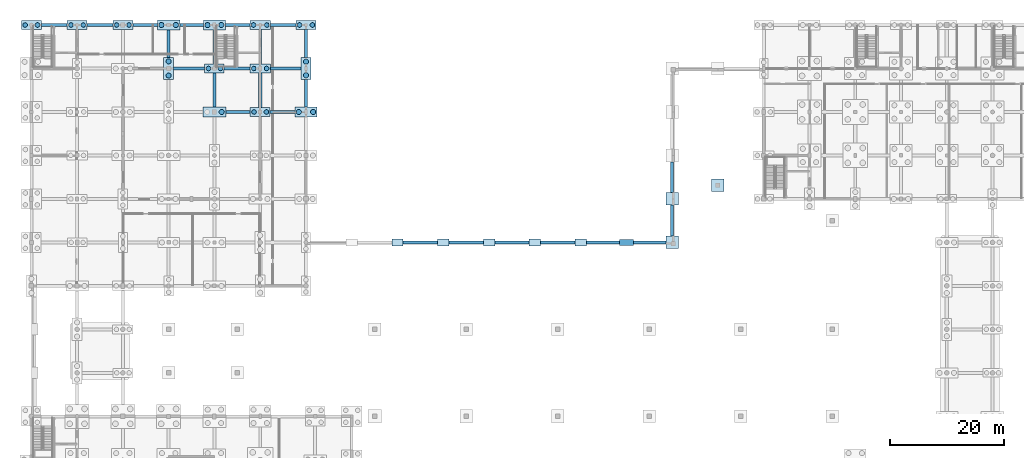
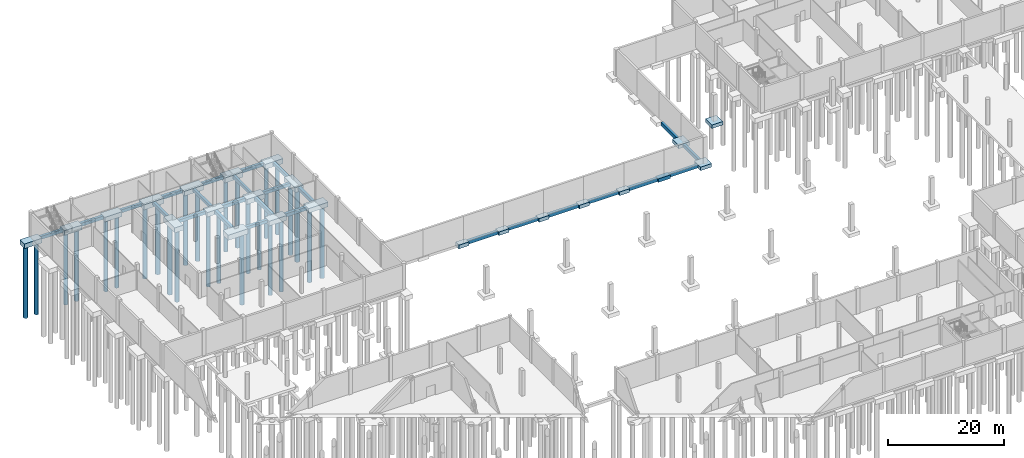
# One storey, part 10 of 44: 49 footings, 27 piles.
"""IFC4 building model written with IfcOpenShell, lengths in metres."""

from ifc_helpers import new_model, si_unit, direction, frame, origin, origin_2d, place, context, subcontext, project, spatial, polyline, circle, outline, extrude, material, material_profile, profile_set, type_object, element, save


model = new_model("IFC4")

# Units and contexts
model_context = context("Model", 3, precision=1e-05, world=origin(), true_north=direction((0.0, 1.0)))
body_context = subcontext(model_context, "Body", "Model", "MODEL_VIEW")
ifc_project = project(units=[si_unit("LENGTHUNIT", "METRE"), si_unit("AREAUNIT", "SQUARE_METRE"), si_unit("VOLUMEUNIT", "CUBIC_METRE"), si_unit("PLANEANGLEUNIT", "RADIAN"), si_unit("MASSUNIT", "GRAM", prefix="KILO")], contexts=[model_context])

# Site, building, storey
site_placement = place(None, origin())
site = spatial("IfcSite", under=ifc_project, at=site_placement, CompositionType="ELEMENT")
building_placement = place(site_placement, origin())
building = spatial("IfcBuilding", under=site, at=building_placement, Name="Khelvaren Railside Concert Hall", CompositionType="ELEMENT")
storey_placement = place(building_placement, frame((0.0, 0.0, -5.39990234375)))
storey = spatial("IfcBuildingStorey", under=building, at=storey_placement, Name="B1", CompositionType="ELEMENT", Elevation=-5.39990234375)

# Piles
ifc_material = material(Name="Concrete C35/45", Category="concrete")
ifc_material_profile_1 = material_profile(ifc_material, circle(Radius=0.449951171875, at=origin_2d()), Name="BP D900")
ifc_profile_set_1 = profile_set([ifc_material_profile_1], Name="Concrete C35/45")
pile_type_1 = type_object("IfcPileType", Name="BP51", PredefinedType="BORED", material=ifc_profile_set_1)
for number, where, z_axis, x_axis, name in (
    (1, (24.0, 105.159912109375, -1.4501953125), (0.0, 0.0, -1.0), (1.0, 0.0, 0.0), "Bored Pile BP51 PC-V4-058-1"),
    (2, (24.0, 107.639892578125, -1.4501953125), (0.0, 0.0, -1.0), (1.0, 0.0, 0.0), "Bored Pile BP51 PC-V4-058-2"),
):
    element("IfcPile", number, at=place(storey_placement, frame(where, z_axis=z_axis, x_axis=x_axis)), inside=storey, type_object=pile_type_1, Name=name, PredefinedType="BORED", context=body_context, shape_type="SweptSolid", body=[
        extrude(circle(Radius=0.449951171875, at=origin_2d()), origin(), (0.0, 0.0, 1.0), 15.14990234375),
    ])
for number, where, z_axis, x_axis, name in (
    (3, (22.72998046875, 114.0, -1.5), (0.0, 0.0, -1.0), (1.0, 0.0, 0.0), "Bored Pile BP51 PC-V4-059-1"),
    (4, (25.27001953125, 114.0, -1.5), (0.0, 0.0, -1.0), (1.0, 0.0, 0.0), "Bored Pile BP51 PC-V4-059-2"),
    (5, (33.27001953125, 98.800048828125, -1.5), (0.0, 0.0, -1.0), (1.0, 0.0, 0.0), "Bored Pile BP51 PC-V4-071-2"),
):
    element("IfcPile", number, at=place(storey_placement, frame(where, z_axis=z_axis, x_axis=x_axis)), inside=storey, type_object=pile_type_1, Name=name, PredefinedType="BORED", context=body_context, shape_type="SweptSolid", body=[
        extrude(circle(Radius=0.449951171875, at=origin_2d()), origin(), (0.0, 0.0, 1.0), 15.10009765625),
    ])
for number, where, z_axis, x_axis, name in (
    (6, (30.7900390625, 114.0, -1.400146484375), (0.0, 0.0, -1.0), (1.0, 0.0, 0.0), "Bored Pile BP51 PC-V4-073-1"),
    (7, (33.2099609375, 114.0, -1.400146484375), (0.0, 0.0, -1.0), (1.0, 0.0, 0.0), "Bored Pile BP51 PC-V4-073-2"),
):
    element("IfcPile", number, at=place(storey_placement, frame(where, z_axis=z_axis, x_axis=x_axis)), inside=storey, type_object=pile_type_1, Name=name, PredefinedType="BORED", context=body_context, shape_type="SweptSolid", body=[
        extrude(circle(Radius=0.449951171875, at=origin_2d()), origin(), (0.0, 0.0, 1.0), 15.199951171875),
    ])
for number, where, z_axis, x_axis, name in (
    (8, (46.75, 98.800048828125, -1.35009765625), (0.0, 0.0, -1.0), (1.0, 0.0, 0.0), "Bored Pile BP51 PC-V4-092-1"),
    (9, (49.25, 98.800048828125, -1.35009765625), (0.0, 0.0, -1.0), (1.0, 0.0, 0.0), "Bored Pile BP51 PC-V4-092-2"),
):
    element("IfcPile", number, at=place(storey_placement, frame(where, z_axis=z_axis, x_axis=x_axis)), inside=storey, type_object=pile_type_1, Name=name, PredefinedType="BORED", context=body_context, shape_type="SweptSolid", body=[
        extrude(circle(Radius=0.449951171875, at=origin_2d()), origin(), (0.0, 0.0, 1.0), 15.25),
    ])
for number, where, z_axis, x_axis, name in (
    (10, (48.0, 105.2099609375, -1.400146484375), (0.0, 0.0, -1.0), (1.0, 0.0, 0.0), "Bored Pile BP51 PC-V4-093-1"),
    (11, (48.0, 107.590087890625, -1.400146484375), (0.0, 0.0, -1.0), (1.0, 0.0, 0.0), "Bored Pile BP51 PC-V4-093-2"),
):
    element("IfcPile", number, at=place(storey_placement, frame(where, z_axis=z_axis, x_axis=x_axis)), inside=storey, type_object=pile_type_1, Name=name, PredefinedType="BORED", context=body_context, shape_type="SweptSolid", body=[
        extrude(circle(Radius=0.449951171875, at=origin_2d()), origin(), (0.0, 0.0, 1.0), 15.199951171875),
    ])
ifc_material_profile_2 = material_profile(ifc_material, circle(Radius=0.39990234375, at=origin_2d()), Name="BP D800")
ifc_profile_set_2 = profile_set([ifc_material_profile_2], Name="Concrete C35/45")
pile_type_2 = type_object("IfcPileType", Name="BP84", PredefinedType="BORED", material=ifc_profile_set_2)
for number, where, z_axis, x_axis, name in (
    (12, (-1.080078125, 114.0, -1.400146484375), (0.0, 0.0, -1.0), (1.0, 0.0, 0.0), "Bored Pile BP84 PC-V4-013-1"),
    (13, (1.080078125, 114.0, -1.400146484375), (0.0, 0.0, -1.0), (1.0, 0.0, 0.0), "Bored Pile BP84 PC-V4-013-2"),
    (14, (6.919921875, 114.0, -1.400146484375), (0.0, 0.0, -1.0), (1.0, 0.0, 0.0), "Bored Pile BP84 PC-V4-029-1"),
    (15, (9.080078125, 114.0, -1.400146484375), (0.0, 0.0, -1.0), (1.0, 0.0, 0.0), "Bored Pile BP84 PC-V4-029-2"),
    (16, (14.919921875, 114.0, -1.400146484375), (0.0, 0.0, -1.0), (1.0, 0.0, 0.0), "Bored Pile BP84 PC-V4-045-1"),
    (17, (17.080078125, 114.0, -1.400146484375), (0.0, 0.0, -1.0), (1.0, 0.0, 0.0), "Bored Pile BP84 PC-V4-045-2"),
):
    element("IfcPile", number, at=place(storey_placement, frame(where, z_axis=z_axis, x_axis=x_axis)), inside=storey, type_object=pile_type_2, Name=name, PredefinedType="BORED", context=body_context, shape_type="SweptSolid", body=[
        extrude(circle(Radius=0.39990234375, at=origin_2d()), origin(), (0.0, 0.0, 1.0), 15.199951171875),
    ])
for number, where, z_axis, x_axis, name in (
    (18, (30.9599609375, 106.39990234375, -1.35009765625), (0.0, 0.0, -1.0), (1.0, 0.0, 0.0), "Bored Pile BP84 PC-V4-072-1"),
    (19, (33.0400390625, 106.39990234375, -1.35009765625), (0.0, 0.0, -1.0), (1.0, 0.0, 0.0), "Bored Pile BP84 PC-V4-072-2"),
):
    element("IfcPile", number, at=place(storey_placement, frame(where, z_axis=z_axis, x_axis=x_axis)), inside=storey, type_object=pile_type_2, Name=name, PredefinedType="BORED", context=body_context, shape_type="SweptSolid", body=[
        extrude(circle(Radius=0.39990234375, at=origin_2d()), origin(), (0.0, 0.0, 1.0), 15.25),
    ])
for number, where, z_axis, x_axis, name in (
    (20, (38.919921875, 98.800048828125, -1.400146484375), (0.0, 0.0, -1.0), (1.0, 0.0, 0.0), "Bored Pile BP84 PC-V4-085-1"),
    (21, (41.080078125, 98.800048828125, -1.400146484375), (0.0, 0.0, -1.0), (1.0, 0.0, 0.0), "Bored Pile BP84 PC-V4-085-2"),
):
    element("IfcPile", number, at=place(storey_placement, frame(where, z_axis=z_axis, x_axis=x_axis)), inside=storey, type_object=pile_type_2, Name=name, PredefinedType="BORED", context=body_context, shape_type="SweptSolid", body=[
        extrude(circle(Radius=0.39990234375, at=origin_2d()), origin(), (0.0, 0.0, 1.0), 15.199951171875),
    ])
for number, where, z_axis, x_axis, name in (
    (22, (38.8798828125, 106.39990234375, -1.4501953125), (0.0, 0.0, -1.0), (1.0, 0.0, 0.0), "Bored Pile BP84 PC-V4-086-1"),
    (23, (41.1201171875, 106.39990234375, -1.4501953125), (0.0, 0.0, -1.0), (1.0, 0.0, 0.0), "Bored Pile BP84 PC-V4-086-2"),
):
    element("IfcPile", number, at=place(storey_placement, frame(where, z_axis=z_axis, x_axis=x_axis)), inside=storey, type_object=pile_type_2, Name=name, PredefinedType="BORED", context=body_context, shape_type="SweptSolid", body=[
        extrude(circle(Radius=0.39990234375, at=origin_2d()), origin(), (0.0, 0.0, 1.0), 15.14990234375),
    ])
for number, where, z_axis, x_axis, name in (
    (24, (38.840087890625, 114.0, -1.5), (0.0, 0.0, -1.0), (1.0, 0.0, 0.0), "Bored Pile BP84 PC-V4-087-1"),
    (25, (41.159912109375, 114.0, -1.5), (0.0, 0.0, -1.0), (1.0, 0.0, 0.0), "Bored Pile BP84 PC-V4-087-2"),
):
    element("IfcPile", number, at=place(storey_placement, frame(where, z_axis=z_axis, x_axis=x_axis)), inside=storey, type_object=pile_type_2, Name=name, PredefinedType="BORED", context=body_context, shape_type="SweptSolid", body=[
        extrude(circle(Radius=0.39990234375, at=origin_2d()), origin(), (0.0, 0.0, 1.0), 15.10009765625),
    ])
for number, where, z_axis, x_axis, name in (
    (26, (46.8798828125, 114.0, -1.4501953125), (0.0, 0.0, -1.0), (1.0, 0.0, 0.0), "Bored Pile BP84 PC-V4-094-1"),
    (27, (49.1201171875, 114.0, -1.4501953125), (0.0, 0.0, -1.0), (1.0, 0.0, 0.0), "Bored Pile BP84 PC-V4-094-2"),
):
    element("IfcPile", number, at=place(storey_placement, frame(where, z_axis=z_axis, x_axis=x_axis)), inside=storey, type_object=pile_type_2, Name=name, PredefinedType="BORED", context=body_context, shape_type="SweptSolid", body=[
        extrude(circle(Radius=0.39990234375, at=origin_2d()), origin(), (0.0, 0.0, 1.0), 15.14990234375),
    ])

# Footings
footing_type_1 = type_object("IfcFootingType", Name="GB49", PredefinedType="FOOTING_BEAM", material=ifc_material)
footing_1_placement = place(storey_placement, frame((0.0, 0.0, -1.150146484375)))
element("IfcFooting", 28, at=footing_1_placement, inside=storey, type_object=footing_type_1, Name="Ground Tie Beam GB49 173", PredefinedType="FOOTING_BEAM", context=body_context, shape_type="SweptSolid", body=[
    extrude(outline(polyline([(33.97998046875, 98.550048828125), (38.260009765625, 98.550048828125), (38.260009765625, 99.050048828125), (33.97998046875, 99.050048828125), (33.97998046875, 98.550048828125)])), origin(), (0.0, 0.0, 1.0), 0.650146484375),
])
footing_2_placement = place(storey_placement, frame((0.0, 0.0, -1.150146484375)))
element("IfcFooting", 29, at=footing_2_placement, inside=storey, type_object=footing_type_1, Name="Ground Tie Beam GB49 185", PredefinedType="FOOTING_BEAM", context=body_context, shape_type="SweptSolid", body=[
    extrude(outline(polyline([(24.875, 106.14990234375), (30.300048828125, 106.14990234375), (30.300048828125, 106.64990234375), (24.875, 106.64990234375), (24.875, 106.14990234375)])), origin(), (0.0, 0.0, 1.0), 0.650146484375),
])
footing_3_placement = place(storey_placement, frame((0.0, 0.0, -1.150146484375)))
element("IfcFooting", 30, at=footing_3_placement, inside=storey, type_object=footing_type_1, Name="Ground Tie Beam GB49 187", PredefinedType="FOOTING_BEAM", context=body_context, shape_type="SweptSolid", body=[
    extrude(outline(polyline([(41.780029296875, 106.14990234375), (47.14990234375, 106.14990234375), (47.14990234375, 106.64990234375), (41.780029296875, 106.64990234375), (41.780029296875, 106.14990234375)])), origin(), (0.0, 0.0, 1.0), 0.650146484375),
])
footing_4_placement = place(storey_placement, frame((0.0, 0.0, -1.150146484375)))
element("IfcFooting", 31, at=footing_4_placement, inside=storey, type_object=footing_type_1, Name="Ground Tie Beam GB49 195", PredefinedType="FOOTING_BEAM", context=body_context, shape_type="SweptSolid", body=[
    extrude(outline(polyline([(1.739990234375, 113.75), (6.260009765625, 113.75), (6.260009765625, 114.25), (1.739990234375, 114.25), (1.739990234375, 113.75)])), origin(), (0.0, 0.0, 1.0), 0.650146484375),
])
footing_5_placement = place(storey_placement, frame((0.0, 0.0, -1.150146484375)))
element("IfcFooting", 32, at=footing_5_placement, inside=storey, type_object=footing_type_1, Name="Ground Tie Beam GB49 197", PredefinedType="FOOTING_BEAM", context=body_context, shape_type="SweptSolid", body=[
    extrude(outline(polyline([(17.739990234375, 113.75), (22.02001953125, 113.75), (22.02001953125, 114.25), (17.739990234375, 114.25), (17.739990234375, 113.75)])), origin(), (0.0, 0.0, 1.0), 0.650146484375),
])
footing_6_placement = place(storey_placement, frame((0.0, 0.0, -1.150146484375)))
element("IfcFooting", 33, at=footing_6_placement, inside=storey, type_object=footing_type_1, Name="Ground Tie Beam GB49 199", PredefinedType="FOOTING_BEAM", context=body_context, shape_type="SweptSolid", body=[
    extrude(outline(polyline([(33.919921875, 113.75), (38.179931640625, 113.75), (38.179931640625, 114.25), (33.919921875, 114.25), (33.919921875, 113.75)])), origin(), (0.0, 0.0, 1.0), 0.650146484375),
])
footing_7_placement = place(storey_placement, frame((0.0, 0.0, -1.150146484375)))
element("IfcFooting", 34, at=footing_7_placement, inside=storey, type_object=footing_type_1, Name="Ground Tie Beam GB49 261", PredefinedType="FOOTING_BEAM", context=body_context, shape_type="SweptSolid", body=[
    extrude(outline(polyline([(23.75, 108.35009765625), (24.25, 108.35009765625), (24.25, 113.125), (23.75, 113.125), (23.75, 108.35009765625)])), origin(), (0.0, 0.0, 1.0), 0.650146484375),
])
footing_8_placement = place(storey_placement, frame((0.0, 0.0, -1.150146484375)))
element("IfcFooting", 35, at=footing_8_placement, inside=storey, type_object=footing_type_1, Name="Ground Tie Beam GB49 273", PredefinedType="FOOTING_BEAM", context=body_context, shape_type="SweptSolid", body=[
    extrude(outline(polyline([(31.75, 107.14990234375), (32.25, 107.14990234375), (32.25, 113.139892578125), (31.75, 113.139892578125), (31.75, 107.14990234375)])), origin(), (0.0, 0.0, 1.0), 0.650146484375),
])
footing_9_placement = place(storey_placement, frame((0.0, 0.0, -1.150146484375)))
element("IfcFooting", 36, at=footing_9_placement, inside=storey, type_object=footing_type_1, Name="Ground Tie Beam GB49 285", PredefinedType="FOOTING_BEAM", context=body_context, shape_type="SweptSolid", body=[
    extrude(outline(polyline([(39.75, 107.199951171875), (40.25, 107.199951171875), (40.25, 113.175048828125), (39.75, 113.175048828125), (39.75, 107.199951171875)])), origin(), (0.0, 0.0, 1.0), 0.650146484375),
])
footing_10_placement = place(storey_placement, frame((0.0, 0.0, -1.150146484375)))
element("IfcFooting", 37, at=footing_10_placement, inside=storey, type_object=footing_type_1, Name="Ground Tie Beam GB49 291", PredefinedType="FOOTING_BEAM", context=body_context, shape_type="SweptSolid", body=[
    extrude(outline(polyline([(47.75, 108.300048828125), (48.25, 108.300048828125), (48.25, 113.199951171875), (47.75, 113.199951171875), (47.75, 108.300048828125)])), origin(), (0.0, 0.0, 1.0), 0.650146484375),
])
footing_11_placement = place(storey_placement, frame((0.0, 0.0, -1.150146484375)))
element("IfcFooting", 38, at=footing_11_placement, inside=storey, type_object=footing_type_1, Name="Ground Tie Beam GB49 411", PredefinedType="FOOTING_BEAM", context=body_context, shape_type="SweptSolid", body=[
    extrude(outline(polyline([(73.0, 75.75), (79.0, 75.75), (79.0, 76.25), (73.0, 76.25), (73.0, 75.75)])), origin(), (0.0, 0.0, 1.0), 0.650146484375),
])
footing_12_placement = place(storey_placement, frame((0.0, 0.0, -1.150146484375)))
element("IfcFooting", 39, at=footing_12_placement, inside=storey, type_object=footing_type_1, Name="Ground Tie Beam GB49 413", PredefinedType="FOOTING_BEAM", context=body_context, shape_type="SweptSolid", body=[
    extrude(outline(polyline([(89.0, 75.75), (95.0, 75.75), (95.0, 76.25), (89.0, 76.25), (89.0, 75.75)])), origin(), (0.0, 0.0, 1.0), 0.650146484375),
])
footing_13_placement = place(storey_placement, frame((0.0, 0.0, -1.150146484375)))
element("IfcFooting", 40, at=footing_13_placement, inside=storey, type_object=footing_type_1, Name="Ground Tie Beam GB49 415", PredefinedType="FOOTING_BEAM", context=body_context, shape_type="SweptSolid", body=[
    extrude(outline(polyline([(105.199951171875, 75.75), (110.89990234375, 75.75), (110.89990234375, 76.25), (105.199951171875, 76.25), (105.199951171875, 75.75)])), origin(), (0.0, 0.0, 1.0), 0.650146484375),
])
footing_14_placement = place(storey_placement, frame((0.0, 0.0, -1.150146484375)))
element("IfcFooting", 41, at=footing_14_placement, inside=storey, type_object=footing_type_1, Name="Ground Tie Beam GB49 421", PredefinedType="FOOTING_BEAM", context=body_context, shape_type="SweptSolid", body=[
    extrude(outline(polyline([(111.75, 77.10009765625), (112.25, 77.10009765625), (112.25, 82.5), (111.75, 82.5), (111.75, 77.10009765625)])), origin(), (0.0, 0.0, 1.0), 0.650146484375),
])
footing_type_2 = type_object("IfcFootingType", Name="GB57", PredefinedType="FOOTING_BEAM", material=ifc_material)
footing_15_placement = place(storey_placement, frame((0.0, 0.0, -1.2001953125)))
element("IfcFooting", 42, at=footing_15_placement, inside=storey, type_object=footing_type_2, Name="Ground Tie Beam GB57 174", PredefinedType="FOOTING_BEAM", context=body_context, shape_type="SweptSolid", body=[
    extrude(outline(polyline([(41.739990234375, 98.52490234375), (46.0400390625, 98.52490234375), (46.0400390625, 99.074951171875), (41.739990234375, 99.074951171875), (41.739990234375, 98.52490234375)])), origin(), (0.0, 0.0, 1.0), 0.7001953125),
])
footing_16_placement = place(storey_placement, frame((0.0, 0.0, -1.2001953125)))
element("IfcFooting", 43, at=footing_16_placement, inside=storey, type_object=footing_type_2, Name="Ground Tie Beam GB57 186", PredefinedType="FOOTING_BEAM", context=body_context, shape_type="SweptSolid", body=[
    extrude(outline(polyline([(33.699951171875, 106.125), (38.219970703125, 106.125), (38.219970703125, 106.675048828125), (33.699951171875, 106.675048828125), (33.699951171875, 106.125)])), origin(), (0.0, 0.0, 1.0), 0.7001953125),
])
footing_17_placement = place(storey_placement, frame((0.0, 0.0, -1.2001953125)))
element("IfcFooting", 44, at=footing_17_placement, inside=storey, type_object=footing_type_2, Name="Ground Tie Beam GB57 196", PredefinedType="FOOTING_BEAM", context=body_context, shape_type="SweptSolid", body=[
    extrude(outline(polyline([(9.739990234375, 113.72509765625), (14.260009765625, 113.72509765625), (14.260009765625, 114.27490234375), (9.739990234375, 114.27490234375), (9.739990234375, 113.72509765625)])), origin(), (0.0, 0.0, 1.0), 0.7001953125),
])
footing_18_placement = place(storey_placement, frame((0.0, 0.0, -1.2001953125)))
element("IfcFooting", 45, at=footing_18_placement, inside=storey, type_object=footing_type_2, Name="Ground Tie Beam GB57 198", PredefinedType="FOOTING_BEAM", context=body_context, shape_type="SweptSolid", body=[
    extrude(outline(polyline([(25.97998046875, 113.72509765625), (30.080078125, 113.72509765625), (30.080078125, 114.27490234375), (25.97998046875, 114.27490234375), (25.97998046875, 113.72509765625)])), origin(), (0.0, 0.0, 1.0), 0.7001953125),
])
footing_19_placement = place(storey_placement, frame((0.0, 0.0, -1.2001953125)))
element("IfcFooting", 46, at=footing_19_placement, inside=storey, type_object=footing_type_2, Name="Ground Tie Beam GB57 200", PredefinedType="FOOTING_BEAM", context=body_context, shape_type="SweptSolid", body=[
    extrude(outline(polyline([(41.820068359375, 113.72509765625), (46.219970703125, 113.72509765625), (46.219970703125, 114.27490234375), (41.820068359375, 114.27490234375), (41.820068359375, 113.72509765625)])), origin(), (0.0, 0.0, 1.0), 0.7001953125),
])
footing_20_placement = place(storey_placement, frame((0.0, 0.0, -1.2001953125)))
element("IfcFooting", 47, at=footing_20_placement, inside=storey, type_object=footing_type_2, Name="Ground Tie Beam GB57 272", PredefinedType="FOOTING_BEAM", context=body_context, shape_type="SweptSolid", body=[
    extrude(outline(polyline([(31.72509765625, 99.675048828125), (32.27490234375, 99.675048828125), (32.27490234375, 105.64990234375), (31.72509765625, 105.64990234375), (31.72509765625, 99.675048828125)])), origin(), (0.0, 0.0, 1.0), 0.7001953125),
])
footing_21_placement = place(storey_placement, frame((0.0, 0.0, -1.2001953125)))
element("IfcFooting", 48, at=footing_21_placement, inside=storey, type_object=footing_type_2, Name="Ground Tie Beam GB57 284", PredefinedType="FOOTING_BEAM", context=body_context, shape_type="SweptSolid", body=[
    extrude(outline(polyline([(39.72509765625, 99.574951171875), (40.27490234375, 99.574951171875), (40.27490234375, 105.60009765625), (39.72509765625, 105.60009765625), (39.72509765625, 99.574951171875)])), origin(), (0.0, 0.0, 1.0), 0.7001953125),
])
footing_22_placement = place(storey_placement, frame((0.0, 0.0, -1.2001953125)))
element("IfcFooting", 49, at=footing_22_placement, inside=storey, type_object=footing_type_2, Name="Ground Tie Beam GB57 290", PredefinedType="FOOTING_BEAM", context=body_context, shape_type="SweptSolid", body=[
    extrude(outline(polyline([(47.72509765625, 99.675048828125), (48.27490234375, 99.675048828125), (48.27490234375, 104.5), (47.72509765625, 104.5), (47.72509765625, 99.675048828125)])), origin(), (0.0, 0.0, 1.0), 0.7001953125),
])
footing_23_placement = place(storey_placement, frame((0.0, 0.0, -1.2001953125)))
element("IfcFooting", 50, at=footing_23_placement, inside=storey, type_object=footing_type_2, Name="Ground Tie Beam GB57 410", PredefinedType="FOOTING_BEAM", context=body_context, shape_type="SweptSolid", body=[
    extrude(outline(polyline([(65.0, 75.72509765625), (71.0, 75.72509765625), (71.0, 76.27490234375), (65.0, 76.27490234375), (65.0, 75.72509765625)])), origin(), (0.0, 0.0, 1.0), 0.7001953125),
])
footing_24_placement = place(storey_placement, frame((0.0, 0.0, -1.2001953125)))
element("IfcFooting", 51, at=footing_24_placement, inside=storey, type_object=footing_type_2, Name="Ground Tie Beam GB57 412", PredefinedType="FOOTING_BEAM", context=body_context, shape_type="SweptSolid", body=[
    extrude(outline(polyline([(81.0, 75.72509765625), (87.0, 75.72509765625), (87.0, 76.27490234375), (81.0, 76.27490234375), (81.0, 75.72509765625)])), origin(), (0.0, 0.0, 1.0), 0.7001953125),
])
footing_25_placement = place(storey_placement, frame((0.0, 0.0, -1.2001953125)))
element("IfcFooting", 52, at=footing_25_placement, inside=storey, type_object=footing_type_2, Name="Ground Tie Beam GB57 414", PredefinedType="FOOTING_BEAM", context=body_context, shape_type="SweptSolid", body=[
    extrude(outline(polyline([(97.0, 75.72509765625), (102.800048828125, 75.72509765625), (102.800048828125, 76.27490234375), (97.0, 76.27490234375), (97.0, 75.72509765625)])), origin(), (0.0, 0.0, 1.0), 0.7001953125),
])
footing_26_placement = place(storey_placement, frame((0.0, 0.0, -1.2001953125)))
element("IfcFooting", 53, at=footing_26_placement, inside=storey, type_object=footing_type_2, Name="Ground Tie Beam GB57 422", PredefinedType="FOOTING_BEAM", context=body_context, shape_type="SweptSolid", body=[
    extrude(outline(polyline([(111.72509765625, 84.699951171875), (112.27490234375, 84.699951171875), (112.27490234375, 90.10009765625), (111.72509765625, 90.10009765625), (111.72509765625, 84.699951171875)])), origin(), (0.0, 0.0, 1.0), 0.7001953125),
])
footing_type_3 = type_object("IfcFootingType", Name="PC23", PredefinedType="PILE_CAP", material=ifc_material)
footing_27_placement = place(storey_placement, frame((0.0, 0.0, -1.4501953125)))
element("IfcFooting", 54, at=footing_27_placement, inside=storey, type_object=footing_type_3, Name="Pile Cap PC23 (48.0,98.8)", PredefinedType="PILE_CAP", context=body_context, shape_type="SweptSolid", body=[
    extrude(outline(polyline([(46.0400390625, 97.925048828125), (49.9599609375, 97.925048828125), (49.9599609375, 99.675048828125), (46.0400390625, 99.675048828125), (46.0400390625, 97.925048828125)])), origin(), (0.0, 0.0, 1.0), 0.9501953125),
])
footing_type_4 = type_object("IfcFootingType", Name="PC28", PredefinedType="PILE_CAP", material=ifc_material)
footing_28_placement = place(storey_placement, frame((0.0, 0.0, -1.60009765625)))
element("IfcFooting", 55, at=footing_28_placement, inside=storey, type_object=footing_type_4, Name="Pile Cap PC28 (24.0,114.0)", PredefinedType="PILE_CAP", context=body_context, shape_type="SweptSolid", body=[
    extrude(outline(polyline([(22.02001953125, 113.125), (25.97998046875, 113.125), (25.97998046875, 114.875), (22.02001953125, 114.875), (22.02001953125, 113.125)])), origin(), (0.0, 0.0, 1.0), 1.10009765625),
])
footing_29_placement = place(storey_placement, frame((0.0, 0.0, -1.60009765625)))
element("IfcFooting", 56, at=footing_29_placement, inside=storey, type_object=footing_type_4, Name="Pile Cap PC28 (32.0,98.8)", PredefinedType="PILE_CAP", context=body_context, shape_type="SweptSolid", body=[
    extrude(outline(polyline([(30.02001953125, 97.925048828125), (33.97998046875, 97.925048828125), (33.97998046875, 99.675048828125), (30.02001953125, 99.675048828125), (30.02001953125, 97.925048828125)])), origin(), (0.0, 0.0, 1.0), 1.10009765625),
])
footing_type_5 = type_object("IfcFootingType", Name="PC33", PredefinedType="PILE_CAP", material=ifc_material)
footing_30_placement = place(storey_placement, frame((0.0, 0.0, -1.60009765625)))
element("IfcFooting", 57, at=footing_30_placement, inside=storey, type_object=footing_type_5, Name="Pile Cap PC33 (40.0,114.0)", PredefinedType="PILE_CAP", context=body_context, shape_type="SweptSolid", body=[
    extrude(outline(polyline([(38.179931640625, 113.175048828125), (41.820068359375, 113.175048828125), (41.820068359375, 114.824951171875), (38.179931640625, 114.824951171875), (38.179931640625, 113.175048828125)])), origin(), (0.0, 0.0, 1.0), 1.10009765625),
])
footing_type_6 = type_object("IfcFootingType", Name="PC41", PredefinedType="PILE_CAP", material=ifc_material)
footing_31_placement = place(storey_placement, frame((0.0, 0.0, -1.550048828125)))
element("IfcFooting", 58, at=footing_31_placement, inside=storey, type_object=footing_type_6, Name="Pile Cap PC41 (24.0,106.4)", PredefinedType="PILE_CAP", context=body_context, shape_type="SweptSolid", body=[
    extrude(outline(polyline([(23.125, 104.449951171875), (24.875, 104.449951171875), (24.875, 108.35009765625), (23.125, 108.35009765625), (23.125, 104.449951171875)])), origin(), (0.0, 0.0, 1.0), 1.050048828125),
])
footing_type_7 = type_object("IfcFootingType", Name="PC59", PredefinedType="PILE_CAP", material=ifc_material)
footing_32_placement = place(storey_placement, frame((0.0, 0.0, -1.5)))
element("IfcFooting", 59, at=footing_32_placement, inside=storey, type_object=footing_type_7, Name="Pile Cap PC59 (32.0,114.0)", PredefinedType="PILE_CAP", context=body_context, shape_type="SweptSolid", body=[
    extrude(outline(polyline([(30.080078125, 113.139892578125), (33.919921875, 113.139892578125), (33.919921875, 114.860107421875), (30.080078125, 114.860107421875), (30.080078125, 113.139892578125)])), origin(), (0.0, 0.0, 1.0), 1.0),
])
footing_type_8 = type_object("IfcFootingType", Name="PC68", PredefinedType="PILE_CAP", material=ifc_material)
footing_33_placement = place(storey_placement, frame((0.0, 0.0, -1.4501953125)))
element("IfcFooting", 60, at=footing_33_placement, inside=storey, type_object=footing_type_8, Name="Pile Cap PC68 (32.0,106.4)", PredefinedType="PILE_CAP", context=body_context, shape_type="SweptSolid", body=[
    extrude(outline(polyline([(30.300048828125, 105.64990234375), (33.699951171875, 105.64990234375), (33.699951171875, 107.14990234375), (30.300048828125, 107.14990234375), (30.300048828125, 105.64990234375)])), origin(), (0.0, 0.0, 1.0), 0.9501953125),
])
footing_type_9 = type_object("IfcFootingType", Name="PC72", PredefinedType="PILE_CAP", material=ifc_material)
footing_34_placement = place(storey_placement, frame((0.0, 0.0, -1.5)))
element("IfcFooting", 61, at=footing_34_placement, inside=storey, type_object=footing_type_9, Name="Pile Cap PC72 (48.0,106.4)", PredefinedType="PILE_CAP", context=body_context, shape_type="SweptSolid", body=[
    extrude(outline(polyline([(47.14990234375, 104.5), (48.85009765625, 104.5), (48.85009765625, 108.300048828125), (47.14990234375, 108.300048828125), (47.14990234375, 104.5)])), origin(), (0.0, 0.0, 1.0), 1.0),
])
footing_type_10 = type_object("IfcFootingType", Name="PC86", PredefinedType="PILE_CAP", material=ifc_material)
footing_35_placement = place(storey_placement, frame((0.0, 0.0, -1.550048828125)))
element("IfcFooting", 62, at=footing_35_placement, inside=storey, type_object=footing_type_10, Name="Pile Cap PC86 (40.0,106.4)", PredefinedType="PILE_CAP", context=body_context, shape_type="SweptSolid", body=[
    extrude(outline(polyline([(38.219970703125, 105.60009765625), (41.780029296875, 105.60009765625), (41.780029296875, 107.199951171875), (38.219970703125, 107.199951171875), (38.219970703125, 105.60009765625)])), origin(), (0.0, 0.0, 1.0), 1.050048828125),
])
footing_36_placement = place(storey_placement, frame((0.0, 0.0, -1.550048828125)))
element("IfcFooting", 63, at=footing_36_placement, inside=storey, type_object=footing_type_10, Name="Pile Cap PC86 (48.0,114.0)", PredefinedType="PILE_CAP", context=body_context, shape_type="SweptSolid", body=[
    extrude(outline(polyline([(46.219970703125, 113.199951171875), (49.780029296875, 113.199951171875), (49.780029296875, 114.800048828125), (46.219970703125, 114.800048828125), (46.219970703125, 113.199951171875)])), origin(), (0.0, 0.0, 1.0), 1.050048828125),
])
footing_type_11 = type_object("IfcFootingType", Name="PC93", PredefinedType="PILE_CAP", material=ifc_material)
footing_37_placement = place(storey_placement, frame((0.0, 0.0, -1.5)))
element("IfcFooting", 64, at=footing_37_placement, inside=storey, type_object=footing_type_11, Name="Pile Cap PC93 (0.0,114.0)", PredefinedType="PILE_CAP", context=body_context, shape_type="SweptSolid", body=[
    extrude(outline(polyline([(-1.739990234375, 113.22509765625), (1.739990234375, 113.22509765625), (1.739990234375, 114.77490234375), (-1.739990234375, 114.77490234375), (-1.739990234375, 113.22509765625)])), origin(), (0.0, 0.0, 1.0), 1.0),
])
footing_38_placement = place(storey_placement, frame((0.0, 0.0, -1.5)))
element("IfcFooting", 65, at=footing_38_placement, inside=storey, type_object=footing_type_11, Name="Pile Cap PC93 (8.0,114.0)", PredefinedType="PILE_CAP", context=body_context, shape_type="SweptSolid", body=[
    extrude(outline(polyline([(6.260009765625, 113.22509765625), (9.739990234375, 113.22509765625), (9.739990234375, 114.77490234375), (6.260009765625, 114.77490234375), (6.260009765625, 113.22509765625)])), origin(), (0.0, 0.0, 1.0), 1.0),
])
footing_39_placement = place(storey_placement, frame((0.0, 0.0, -1.5)))
element("IfcFooting", 66, at=footing_39_placement, inside=storey, type_object=footing_type_11, Name="Pile Cap PC93 (16.0,114.0)", PredefinedType="PILE_CAP", context=body_context, shape_type="SweptSolid", body=[
    extrude(outline(polyline([(14.260009765625, 113.22509765625), (17.739990234375, 113.22509765625), (17.739990234375, 114.77490234375), (14.260009765625, 114.77490234375), (14.260009765625, 113.22509765625)])), origin(), (0.0, 0.0, 1.0), 1.0),
])
footing_40_placement = place(storey_placement, frame((0.0, 0.0, -1.5)))
element("IfcFooting", 67, at=footing_40_placement, inside=storey, type_object=footing_type_11, Name="Pile Cap PC93 (40.0,98.8)", PredefinedType="PILE_CAP", context=body_context, shape_type="SweptSolid", body=[
    extrude(outline(polyline([(38.260009765625, 98.02490234375), (41.739990234375, 98.02490234375), (41.739990234375, 99.574951171875), (38.260009765625, 99.574951171875), (38.260009765625, 98.02490234375)])), origin(), (0.0, 0.0, 1.0), 1.0),
])
footing_type_12 = type_object("IfcFootingType", Name="PF28", PredefinedType="PAD_FOOTING", material=ifc_material)
footing_41_placement = place(storey_placement, frame((0.0, 0.0, -1.25)))
element("IfcFooting", 68, at=footing_41_placement, inside=storey, type_object=footing_type_12, Name="Pad Footing PF28 31", PredefinedType="PAD_FOOTING", context=body_context, shape_type="SweptSolid", body=[
    extrude(outline(polyline([(102.800048828125, 75.5), (105.199951171875, 75.5), (105.199951171875, 76.5), (102.800048828125, 76.5), (102.800048828125, 75.5)])), origin(), (0.0, 0.0, 1.0), 0.75),
])
footing_type_13 = type_object("IfcFootingType", Name="PF31", PredefinedType="PAD_FOOTING", material=ifc_material)
footing_42_placement = place(storey_placement, frame((0.0, 0.0, -1.25)))
element("IfcFooting", 69, at=footing_42_placement, inside=storey, type_object=footing_type_13, Name="Pad Footing PF31 32", PredefinedType="PAD_FOOTING", context=body_context, shape_type="SweptSolid", body=[
    extrude(outline(polyline([(110.89990234375, 74.89990234375), (113.10009765625, 74.89990234375), (113.10009765625, 77.10009765625), (110.89990234375, 77.10009765625), (110.89990234375, 74.89990234375)])), origin(), (0.0, 0.0, 1.0), 0.75),
])
footing_43_placement = place(storey_placement, frame((0.0, 0.0, -1.25)))
element("IfcFooting", 70, at=footing_43_placement, inside=storey, type_object=footing_type_13, Name="Pad Footing PF31 33", PredefinedType="PAD_FOOTING", context=body_context, shape_type="SweptSolid", body=[
    extrude(outline(polyline([(110.89990234375, 82.5), (113.10009765625, 82.5), (113.10009765625, 84.699951171875), (110.89990234375, 84.699951171875), (110.89990234375, 82.5)])), origin(), (0.0, 0.0, 1.0), 0.75),
])
footing_44_placement = place(storey_placement, frame((0.0, 0.0, -1.25)))
element("IfcFooting", 71, at=footing_44_placement, inside=storey, type_object=footing_type_13, Name="Pad Footing PF31 45", PredefinedType="PAD_FOOTING", context=body_context, shape_type="SweptSolid", body=[
    extrude(outline(polyline([(118.89990234375, 84.89990234375), (121.10009765625, 84.89990234375), (121.10009765625, 87.10009765625), (118.89990234375, 87.10009765625), (118.89990234375, 84.89990234375)])), origin(), (0.0, 0.0, 1.0), 0.75),
])
footing_type_14 = type_object("IfcFootingType", Name="PF44", PredefinedType="PAD_FOOTING", material=ifc_material)
footing_45_placement = place(storey_placement, frame((0.0, 0.0, -1.25)))
element("IfcFooting", 72, at=footing_45_placement, inside=storey, type_object=footing_type_14, Name="Pad Footing PF44 26", PredefinedType="PAD_FOOTING", context=body_context, shape_type="SweptSolid", body=[
    extrude(outline(polyline([(63.0, 75.39990234375), (65.0, 75.39990234375), (65.0, 76.60009765625), (63.0, 76.60009765625), (63.0, 75.39990234375)])), origin(), (0.0, 0.0, 1.0), 0.75),
])
footing_46_placement = place(storey_placement, frame((0.0, 0.0, -1.25)))
element("IfcFooting", 73, at=footing_46_placement, inside=storey, type_object=footing_type_14, Name="Pad Footing PF44 27", PredefinedType="PAD_FOOTING", context=body_context, shape_type="SweptSolid", body=[
    extrude(outline(polyline([(71.0, 75.39990234375), (73.0, 75.39990234375), (73.0, 76.60009765625), (71.0, 76.60009765625), (71.0, 75.39990234375)])), origin(), (0.0, 0.0, 1.0), 0.75),
])
footing_47_placement = place(storey_placement, frame((0.0, 0.0, -1.25)))
element("IfcFooting", 74, at=footing_47_placement, inside=storey, type_object=footing_type_14, Name="Pad Footing PF44 28", PredefinedType="PAD_FOOTING", context=body_context, shape_type="SweptSolid", body=[
    extrude(outline(polyline([(79.0, 75.39990234375), (81.0, 75.39990234375), (81.0, 76.60009765625), (79.0, 76.60009765625), (79.0, 75.39990234375)])), origin(), (0.0, 0.0, 1.0), 0.75),
])
footing_48_placement = place(storey_placement, frame((0.0, 0.0, -1.25)))
element("IfcFooting", 75, at=footing_48_placement, inside=storey, type_object=footing_type_14, Name="Pad Footing PF44 29", PredefinedType="PAD_FOOTING", context=body_context, shape_type="SweptSolid", body=[
    extrude(outline(polyline([(87.0, 75.39990234375), (89.0, 75.39990234375), (89.0, 76.60009765625), (87.0, 76.60009765625), (87.0, 75.39990234375)])), origin(), (0.0, 0.0, 1.0), 0.75),
])
footing_49_placement = place(storey_placement, frame((0.0, 0.0, -1.25)))
element("IfcFooting", 76, at=footing_49_placement, inside=storey, type_object=footing_type_14, Name="Pad Footing PF44 30", PredefinedType="PAD_FOOTING", context=body_context, shape_type="SweptSolid", body=[
    extrude(outline(polyline([(95.0, 75.39990234375), (97.0, 75.39990234375), (97.0, 76.60009765625), (95.0, 76.60009765625), (95.0, 75.39990234375)])), origin(), (0.0, 0.0, 1.0), 0.75),
])

save(model, "model.ifc")
